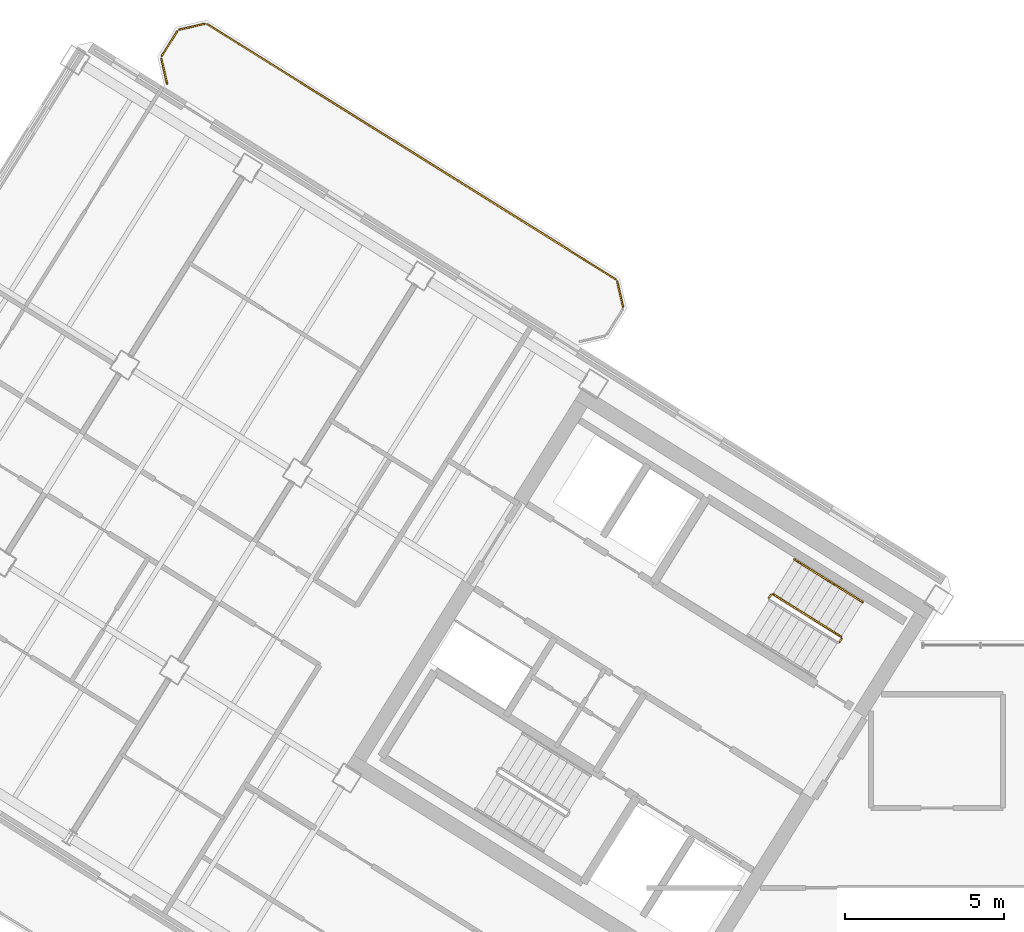
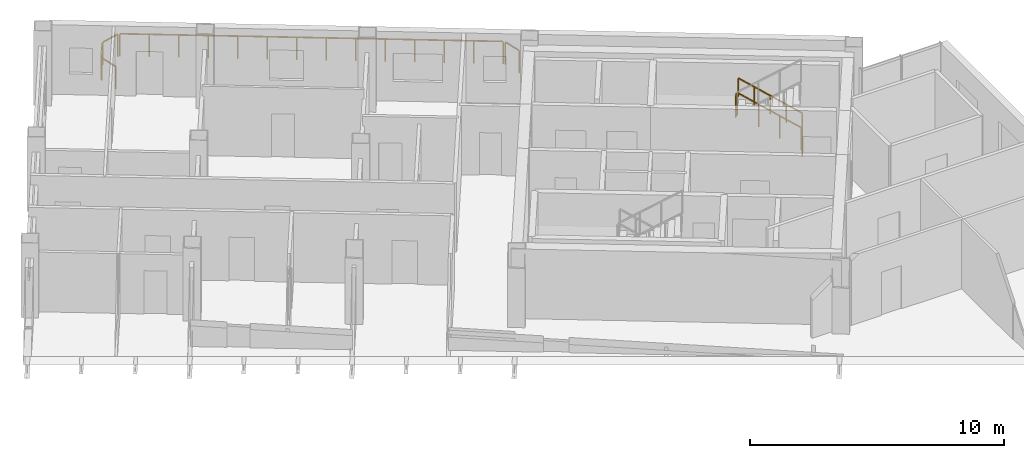
# One storey, part 17 of 17: 10 railings.
"""IFC4 building model written with IfcOpenShell, lengths in metres."""

from ifc_helpers import new_model, si_unit, direction, frame, origin, origin_2d, place, context, subcontext, project, spatial, rectangle, extrude, source, transform, mapped, material, type_object, element, save


model = new_model("IFC4")

# Units and contexts
model_context = context("Model", 3, precision=1e-05, world=origin(), true_north=direction((0.0, 1.0)))
body_context = subcontext(model_context, "Body", "Model", "MODEL_VIEW")
ifc_project = project(units=[si_unit("LENGTHUNIT", "METRE"), si_unit("AREAUNIT", "SQUARE_METRE"), si_unit("VOLUMEUNIT", "CUBIC_METRE"), si_unit("PLANEANGLEUNIT", "RADIAN"), si_unit("MASSUNIT", "GRAM", prefix="KILO")], contexts=[model_context])

# Site, building, storey
site_placement = place(None, origin())
site = spatial("IfcSite", under=ifc_project, at=site_placement, CompositionType="ELEMENT")
building_placement = place(site_placement, origin())
building = spatial("IfcBuilding", under=site, at=building_placement, Name="Tlacorven Tower", CompositionType="ELEMENT")
storey_placement = place(building_placement, frame((0.0, 0.0, 270.0)))
storey = spatial("IfcBuildingStorey", under=building, at=storey_placement, Name="L68", CompositionType="ELEMENT", Elevation=270.0)

# Railings
ifc_material = material(Name="Aluminium and painted steel balustrade", Category="steel")
railing_type_1 = type_object("IfcRailingType", Name="RL-BAL-1100", PredefinedType="BALUSTRADE", material=ifc_material)
shared_shape_1 = source(origin(), body_context, "Body", "SweptSolid", [
    extrude(rectangle(XDim=0.048095703125, YDim=0.048095703125, at=origin_2d()), frame((0.0, 0.0, 1.076171875), z_axis=(0.225058334816, -0.974345290916, 0.0), x_axis=(0.974345290916, 0.225058334816, 0.0)), (0.0, 0.0, 1.0), 0.80712890625),
    extrude(rectangle(XDim=0.0419921875, YDim=0.0419921875, at=origin_2d()), origin(), (0.0, 0.0, 1.0), 1.052001953125),
    extrude(rectangle(XDim=0.0419921875, YDim=0.0419921875, at=origin_2d()), frame((0.181640625, -0.786376953125, 0.0)), (0.0, 0.0, 1.0), 1.052001953125),
])
railing_1_placement = place(storey_placement, frame((30.6796875, 34.466064453125, 0.0)))
element("IfcRailing", 1, at=railing_1_placement, inside=storey, type_object=railing_type_1, Name="BAL-L68-W-IN Guard Railing 1", PredefinedType="BALUSTRADE", context=body_context, shape_type="MappedRepresentation", body=[
    mapped(shared_shape_1, transform((0.0, 0.0, 0.0), scale=1.0)),
])
shared_shape_2 = source(origin(), body_context, "Body", "SweptSolid", [
    extrude(rectangle(XDim=0.048095703125, YDim=0.048095703125, at=origin_2d()), frame((0.0, 0.0, 1.076171875), z_axis=(-0.225058334816, 0.974345290916, 0.0), x_axis=(-0.974345290916, -0.225058334816, 0.0)), (0.0, 0.0, 1.0), 0.80712890625),
    extrude(rectangle(XDim=0.0419921875, YDim=0.0419921875, at=origin_2d()), origin(), (0.0, 0.0, 1.0), 1.052001953125),
    extrude(rectangle(XDim=0.0419921875, YDim=0.0419921875, at=origin_2d()), frame((-0.181640625, 0.786376953125, 0.0)), (0.0, 0.0, 1.0), 1.052001953125),
])
railing_2_placement = place(storey_placement, frame((16.5361328125, 40.68115234375, 0.0)))
element("IfcRailing", 2, at=railing_2_placement, inside=storey, type_object=railing_type_1, Name="BAL-L68-W-IN Guard Railing 4", PredefinedType="BALUSTRADE", context=body_context, shape_type="MappedRepresentation", body=[
    mapped(shared_shape_2, transform((0.0, 0.0, 0.0), scale=1.0)),
])
shared_shape_3 = source(origin(), body_context, "Body", "SweptSolid", [
    extrude(rectangle(XDim=0.048095703125, YDim=0.048095703125, at=origin_2d()), frame((0.0, 0.0, 1.076171875), z_axis=(0.52987865805, 0.848073468364, 0.0), x_axis=(-0.848073468364, 0.52987865805, 0.0)), (0.0, 0.0, 1.0), 0.912353515625),
    extrude(rectangle(XDim=0.0419921875, YDim=0.0419921875, at=origin_2d()), origin(), (0.0, 0.0, 1.0), 1.052001953125),
    extrude(rectangle(XDim=0.0419921875, YDim=0.0419921875, at=origin_2d()), frame((0.4833984375, 0.773681640625, 0.0)), (0.0, 0.0, 1.0), 1.052001953125),
])
railing_3_placement = place(storey_placement, frame((16.369873046875, 41.55859375, 0.0)))
element("IfcRailing", 3, at=railing_3_placement, inside=storey, type_object=railing_type_1, Name="BAL-L68-W-IN Guard Railing 5", PredefinedType="BALUSTRADE", context=body_context, shape_type="MappedRepresentation", body=[
    mapped(shared_shape_3, transform((0.0, 0.0, 0.0), scale=1.0)),
])
shared_shape_4 = source(origin(), body_context, "Body", "SweptSolid", [
    extrude(rectangle(XDim=0.048095703125, YDim=0.048095703125, at=origin_2d()), frame((0.0, 0.0, 1.076171875), z_axis=(0.974411586182, 0.224771129628, 0.0), x_axis=(-0.224771129628, 0.974411586182, 0.0)), (0.0, 0.0, 1.0), 0.80712890625),
    extrude(rectangle(XDim=0.0419921875, YDim=0.0419921875, at=origin_2d()), origin(), (0.0, 0.0, 1.0), 1.052001953125),
    extrude(rectangle(XDim=0.0419921875, YDim=0.0419921875, at=origin_2d()), frame((0.786376953125, 0.181396484375, 0.0)), (0.0, 0.0, 1.0), 1.052001953125),
])
railing_4_placement = place(storey_placement, frame((16.928466796875, 42.385986328125, 0.0)))
element("IfcRailing", 4, at=railing_4_placement, inside=storey, type_object=railing_type_1, Name="BAL-L68-W-IN Guard Railing 6", PredefinedType="BALUSTRADE", context=body_context, shape_type="MappedRepresentation", body=[
    mapped(shared_shape_4, transform((0.0, 0.0, 0.0), scale=1.0)),
])
shared_shape_5 = source(origin(), body_context, "Body", "SweptSolid", [
    extrude(rectangle(XDim=0.048095703125, YDim=0.048095703125, at=origin_2d()), frame((0.0, 0.0, 1.076171875), z_axis=(0.848044572804, -0.529924902733, 0.0), x_axis=(0.529924902733, 0.848044572804, 0.0)), (0.0, 0.0, 1.0), 15.1171875),
    extrude(rectangle(XDim=0.0419921875, YDim=0.0419921875, at=origin_2d()), origin(), (0.0, 0.0, 1.0), 1.052001953125),
    extrude(rectangle(XDim=0.0419921875, YDim=0.0419921875, at=origin_2d()), frame((0.986083984375, -0.6162109375, 0.0)), (0.0, 0.0, 1.0), 1.052001953125),
    extrude(rectangle(XDim=0.0419921875, YDim=0.0419921875, at=origin_2d()), frame((1.972412109375, -1.232421875, 0.0)), (0.0, 0.0, 1.0), 1.052001953125),
    extrude(rectangle(XDim=0.0419921875, YDim=0.0419921875, at=origin_2d()), frame((2.95849609375, -1.8486328125, 0.0)), (0.0, 0.0, 1.0), 1.052001953125),
    extrude(rectangle(XDim=0.0419921875, YDim=0.0419921875, at=origin_2d()), frame((3.944580078125, -2.46484375, 0.0)), (0.0, 0.0, 1.0), 1.052001953125),
    extrude(rectangle(XDim=0.0419921875, YDim=0.0419921875, at=origin_2d()), frame((4.930908203125, -3.0810546875, 0.0)), (0.0, 0.0, 1.0), 1.052001953125),
    extrude(rectangle(XDim=0.0419921875, YDim=0.0419921875, at=origin_2d()), frame((5.9169921875, -3.697265625, 0.0)), (0.0, 0.0, 1.0), 1.052001953125),
    extrude(rectangle(XDim=0.0419921875, YDim=0.0419921875, at=origin_2d()), frame((6.903076171875, -4.313720703125, 0.0)), (0.0, 0.0, 1.0), 1.052001953125),
    extrude(rectangle(XDim=0.0419921875, YDim=0.0419921875, at=origin_2d()), frame((7.88916015625, -4.929931640625, 0.0)), (0.0, 0.0, 1.0), 1.052001953125),
    extrude(rectangle(XDim=0.0419921875, YDim=0.0419921875, at=origin_2d()), frame((8.87548828125, -5.546142578125, 0.0)), (0.0, 0.0, 1.0), 1.052001953125),
    extrude(rectangle(XDim=0.0419921875, YDim=0.0419921875, at=origin_2d()), frame((9.861572265625, -6.162353515625, 0.0)), (0.0, 0.0, 1.0), 1.052001953125),
    extrude(rectangle(XDim=0.0419921875, YDim=0.0419921875, at=origin_2d()), frame((10.84765625, -6.778564453125, 0.0)), (0.0, 0.0, 1.0), 1.052001953125),
    extrude(rectangle(XDim=0.0419921875, YDim=0.0419921875, at=origin_2d()), frame((11.833984375, -7.394775390625, 0.0)), (0.0, 0.0, 1.0), 1.052001953125),
    extrude(rectangle(XDim=0.0419921875, YDim=0.0419921875, at=origin_2d()), frame((12.820068359375, -8.010986328125, 0.0)), (0.0, 0.0, 1.0), 1.052001953125),
])
railing_5_placement = place(storey_placement, frame((17.805908203125, 42.55224609375, 0.0)))
element("IfcRailing", 5, at=railing_5_placement, inside=storey, type_object=railing_type_1, Name="BAL-L68-W-IN Guard Railing 7", PredefinedType="BALUSTRADE", context=body_context, shape_type="MappedRepresentation", body=[
    mapped(shared_shape_5, transform((0.0, 0.0, 0.0), scale=1.0)),
])
railing_type_2 = type_object("IfcRailingType", Name="RL-GRD-1100", PredefinedType="GUARDRAIL", material=ifc_material)
shared_shape_6 = source(origin(), body_context, "Body", "SweptSolid", [
    extrude(rectangle(XDim=0.048095703125, YDim=0.048095703125, at=origin_2d()), frame((0.0, 0.0, 1.076171875), z_axis=(-0.713319727316, 0.445773895627, 0.540796265334), x_axis=(-0.529955395941, -0.84802551749, 0.0)), (0.0, 0.0, 1.0), 2.995849609375),
    extrude(rectangle(XDim=0.0419921875, YDim=0.0419921875, at=origin_2d()), origin(), (0.0, 0.0, 1.0), 1.052001953125),
    extrude(rectangle(XDim=0.0419921875, YDim=0.0419921875, at=origin_2d()), frame((-0.71240234375, 0.445068359375, 0.5400390625)), (0.0, 0.0, 1.0), 1.052001953125),
    extrude(rectangle(XDim=0.0419921875, YDim=0.0419921875, at=origin_2d()), frame((-1.424560546875, 0.890380859375, 1.080078125)), (0.0, 0.0, 1.0), 1.052001953125),
    extrude(rectangle(XDim=0.0419921875, YDim=0.0419921875, at=origin_2d()), frame((-2.136962890625, 1.33544921875, 1.6201171875)), (0.0, 0.0, 1.0), 1.052001953125),
])
railing_6_placement = place(storey_placement, frame((37.712158203125, 23.3095703125, 0.179931640625)))
element("IfcRailing", 6, at=railing_6_placement, inside=storey, type_object=railing_type_2, Name="L68 ST-W2 stair guard 1", PredefinedType="GUARDRAIL", context=body_context, shape_type="MappedRepresentation", body=[
    mapped(shared_shape_6, transform((0.0, 0.0, 0.0), scale=1.0)),
])
shared_shape_7 = source(origin(), body_context, "Body", "SweptSolid", [
    extrude(rectangle(XDim=0.048095703125, YDim=0.048095703125, at=origin_2d()), frame((0.0, 0.0, 1.076171875), z_axis=(-0.530546985787, -0.847655529016, 0.0), x_axis=(0.847655529016, -0.530546985787, 0.0)), (0.0, 0.0, 1.0), 0.1201171875),
    extrude(rectangle(XDim=0.0419921875, YDim=0.0419921875, at=origin_2d()), origin(), (0.0, 0.0, 1.0), 1.052001953125),
    extrude(rectangle(XDim=0.0419921875, YDim=0.0419921875, at=origin_2d()), frame((-0.063720703125, -0.101806640625, 0.0)), (0.0, 0.0, 1.0), 1.052001953125),
])
railing_7_placement = place(storey_placement, frame((37.728271484375, 23.24072265625, 0.0)))
element("IfcRailing", 7, at=railing_7_placement, inside=storey, type_object=railing_type_2, Name="L68 ST-W2 stair guard 4", PredefinedType="GUARDRAIL", context=body_context, shape_type="MappedRepresentation", body=[
    mapped(shared_shape_7, transform((0.0, 0.0, 0.0), scale=1.0)),
])
railing_type_3 = type_object("IfcRailingType", Name="RL-HND-0900", PredefinedType="HANDRAIL", material=ifc_material)
shared_shape_8 = source(origin(), body_context, "Body", "SweptSolid", [
    extrude(rectangle(XDim=0.048095703125, YDim=0.048095703125, at=origin_2d()), frame((0.0, 0.0, 0.8759765625), z_axis=(-0.713359751793, 0.4457479829, 0.540764828981), x_axis=(-0.529911857636, -0.848052724267, 0.0)), (0.0, 0.0, 1.0), 1.498046875),
    extrude(rectangle(XDim=0.0419921875, YDim=0.0419921875, at=origin_2d()), origin(), (0.0, 0.0, 1.0), 0.851806640625),
    extrude(rectangle(XDim=0.0419921875, YDim=0.0419921875, at=origin_2d()), frame((-0.5341796875, 0.333984375, 0.405029296875)), (0.0, 0.0, 1.0), 0.851806640625),
    extrude(rectangle(XDim=0.0419921875, YDim=0.0419921875, at=origin_2d()), frame((-1.068603515625, 0.667724609375, 0.81005859375)), (0.0, 0.0, 1.0), 0.851806640625),
])
for number, where, name in (
    (8, (38.390625, 24.39501953125, 0.179931640625), "L68 ST-W2 stair handrail 1"),
    (9, (37.322021484375, 25.062744140625, 0.989990234375), "L68 ST-W2 stair handrail 2"),
):
    element("IfcRailing", number, at=place(storey_placement, frame(where)), inside=storey, type_object=railing_type_3, Name=name, PredefinedType="HANDRAIL", context=body_context, shape_type="MappedRepresentation", body=[
        mapped(shared_shape_8, transform((0.0, 0.0, 0.0), scale=1.0)),
    ])
shared_shape_9 = source(origin(), body_context, "Body", "SweptSolid", [
    extrude(rectangle(XDim=0.048095703125, YDim=0.048095703125, at=origin_2d()), frame((0.0, 0.0, 1.076171875), z_axis=(-0.531462422766, -0.847081869236, 0.0), x_axis=(0.847081869236, -0.531462422766, 0.0)), (0.0, 0.0, 1.0), 0.119873046875),
    extrude(rectangle(XDim=0.0419921875, YDim=0.0419921875, at=origin_2d()), origin(), (0.0, 0.0, 1.0), 1.052001953125),
    extrude(rectangle(XDim=0.0419921875, YDim=0.0419921875, at=origin_2d()), frame((-0.063720703125, -0.1015625, 0.0)), (0.0, 0.0, 1.0), 1.052001953125),
])
railing_8_placement = place(storey_placement, frame((35.50634765625, 24.62890625, 1.800048828125)))
element("IfcRailing", 10, at=railing_8_placement, inside=storey, type_object=railing_type_2, Name="L68 ST-W2 stair guard 2", PredefinedType="GUARDRAIL", context=body_context, shape_type="MappedRepresentation", body=[
    mapped(shared_shape_9, transform((0.0, 0.0, 0.0), scale=1.0)),
])

save(model, "model.ifc")
